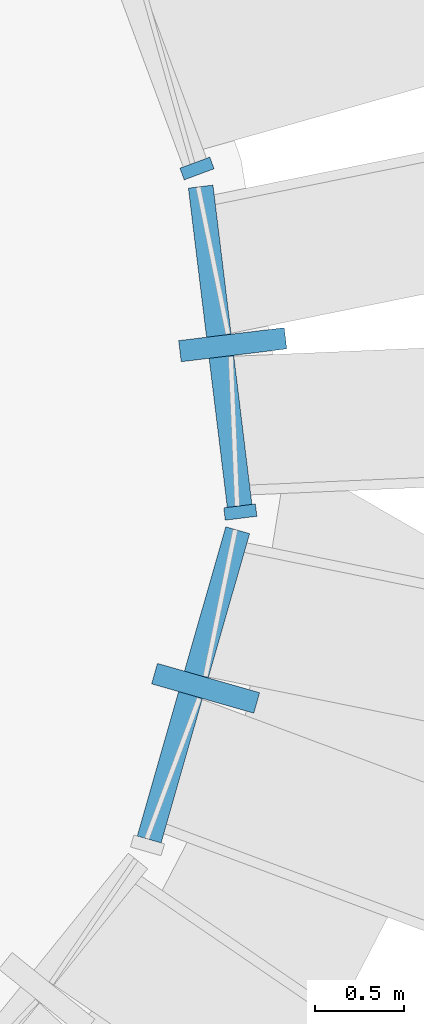
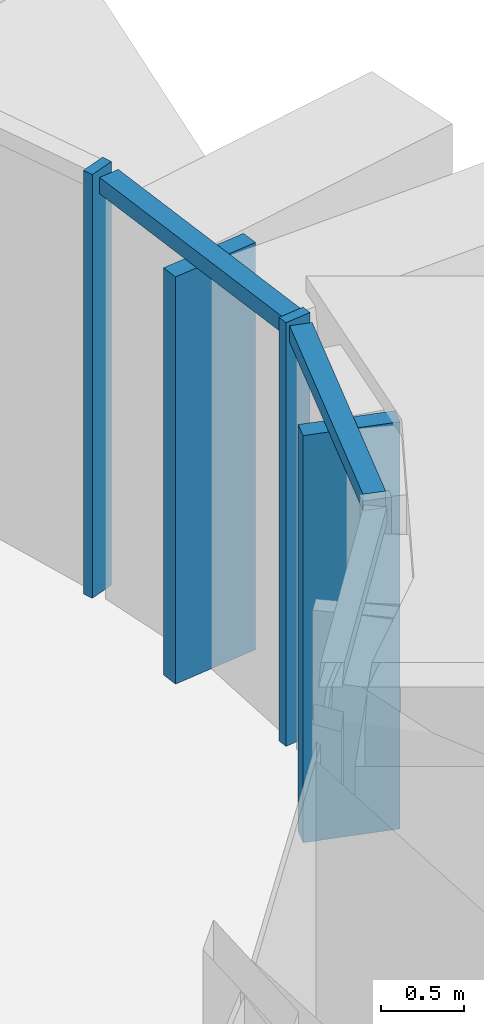
# One storey, part 8 of 22: 6 members, 3 elements without a shape of their own.
"""IFC4 building model written with IfcOpenShell, lengths in metres."""

from ifc_helpers import new_model, si_unit, direction, frame, origin, origin_2d, place, context, subcontext, project, spatial, rectangle, extrude, material, layer, layer_set, material_profile, profile_set, type_object, element, aggregate, save


model = new_model("IFC4")

# Units and contexts
model_context = context("Model", 3, precision=1e-05, world=origin(), true_north=direction((0.0, 1.0)))
body_context = subcontext(model_context, "Body", "Model", "MODEL_VIEW")
ifc_project = project(units=[si_unit("LENGTHUNIT", "METRE"), si_unit("AREAUNIT", "SQUARE_METRE"), si_unit("VOLUMEUNIT", "CUBIC_METRE"), si_unit("PLANEANGLEUNIT", "RADIAN"), si_unit("MASSUNIT", "GRAM", prefix="KILO")], contexts=[model_context])

# Site, building, storey
site_placement = place(None, origin())
site = spatial("IfcSite", under=ifc_project, at=site_placement, CompositionType="ELEMENT")
building_placement = place(site_placement, origin())
building = spatial("IfcBuilding", under=site, at=building_placement, Name="Sierra Prisma Convention Tower", CompositionType="ELEMENT")
storey_placement = place(building_placement, frame((0.0, 0.0, 66.5)))
storey = spatial("IfcBuildingStorey", under=building, at=storey_placement, Name="L12", CompositionType="ELEMENT", Elevation=66.5)

# Curtain wall, member
ifc_material_1 = material(Name="Aluminium and glass curtain wall", Category="aluminium")
ifc_layer = layer(ifc_material_1, 0.179931640625)
ifc_layer_set = layer_set([ifc_layer], Name="CW-2 Faceted crystal curtain wall")
curtain_wall_type = type_object("IfcCurtainWallType", Name="CW-2 Faceted crystal curtain wall", PredefinedType="NOTDEFINED", material=ifc_layer_set)
curtain_wall_1_placement = place(storey_placement, origin())
curtain_wall_1 = element("IfcCurtainWall", 1, at=curtain_wall_1_placement, inside=storey, type_object=curtain_wall_type, Name="CW-2 SE3 L12", PredefinedType="NOTDEFINED")
ifc_material_2 = material(Name="Aluminium 6063-T6 bronze anodised", Category="aluminium")
ifc_material_profile_1 = material_profile(ifc_material_2, rectangle(XDim=0.1201171875, YDim=0.60009765625, at=origin_2d()), Name="ALU RIDGE BLADE 120x600")
ifc_profile_set_1 = profile_set([ifc_material_profile_1], Name="Aluminium 6063-T6 bronze anodised")
member_type_1 = type_object("IfcMemberType", Name="CW hip bronze", PredefinedType="MULLION", material=ifc_profile_set_1)
member_1_placement = place(storey_placement, frame((31.552001953125, -17.25634765625, 0.0), z_axis=(0.0, 0.0, 1.0), x_axis=(0.27515422925, 0.96140009888, 0.0)))
member_1 = element("IfcMember", 2, at=member_1_placement, type_object=member_type_1, Name="CW-2 ridge SE3.1", PredefinedType="MULLION", context=body_context, shape_type="SweptSolid", body=[
    extrude(rectangle(XDim=0.1201171875, YDim=0.60009765625, at=origin_2d()), origin(), (0.0, 0.0, 1.0), 2.97998046875),
])

# Curtain wall, members
curtain_wall_2_placement = place(storey_placement, origin())
curtain_wall_2 = element("IfcCurtainWall", 3, at=curtain_wall_2_placement, inside=storey, type_object=curtain_wall_type, Name="CW-2 SE4 L12", PredefinedType="NOTDEFINED")
member_2_placement = place(storey_placement, frame((31.704833984375, -15.317138671875, 0.0), z_axis=(0.0, 0.0, 1.0), x_axis=(-0.121043372111, 0.992647219342, 0.0)))
member_2 = element("IfcMember", 4, at=member_2_placement, type_object=member_type_1, Name="CW-2 ridge SE4.1", PredefinedType="MULLION", context=body_context, shape_type="SweptSolid", body=[
    extrude(rectangle(XDim=0.1201171875, YDim=0.60009765625, at=origin_2d()), origin(), (0.0, 0.0, 1.0), 2.97998046875),
])
ifc_material_3 = material(Name="Aluminium 6063-T6 bronze anodised", Category="aluminium")
ifc_material_profile_2 = material_profile(ifc_material_3, rectangle(XDim=0.179931640625, YDim=0.070068359375, at=origin_2d()), Name="ALU MULLION 70x180")
ifc_profile_set_2 = profile_set([ifc_material_profile_2], Name="Aluminium 6063-T6 bronze anodised")
member_type_2 = type_object("IfcMemberType", Name="CW mullion bronze", PredefinedType="MULLION", material=ifc_profile_set_2)
member_3_placement = place(storey_placement, frame((31.748046875, -16.26171875, 0.0), z_axis=(0.0, 0.0, 1.0), x_axis=(-0.992647219342, -0.121043372111, 0.0)))
member_3 = element("IfcMember", 5, at=member_3_placement, type_object=member_type_2, Name="CW-1 mullion SE4.1", PredefinedType="MULLION", context=body_context, shape_type="SweptSolid", body=[
    extrude(rectangle(XDim=0.179931640625, YDim=0.070068359375, at=origin_2d()), origin(), (0.0, 0.0, 1.0), 3.10009765625),
])

# Curtain wall, member
curtain_wall_3_placement = place(storey_placement, origin())
curtain_wall_3 = element("IfcCurtainWall", 6, at=curtain_wall_3_placement, inside=storey, type_object=curtain_wall_type, Name="CW-2 NE1 L12", PredefinedType="NOTDEFINED")
member_4_placement = place(storey_placement, frame((31.50341796875, -14.322265625, 0.0), z_axis=(0.0, 0.0, 1.0), x_axis=(-0.937730353243, -0.347364051978, 0.0)))
member_4 = element("IfcMember", 7, at=member_4_placement, type_object=member_type_2, Name="CW-1 mullion NE1.1", PredefinedType="MULLION", context=body_context, shape_type="SweptSolid", body=[
    extrude(rectangle(XDim=0.179931640625, YDim=0.070068359375, at=origin_2d()), origin(), (0.0, 0.0, 1.0), 3.10009765625),
])
aggregate(curtain_wall_3, [member_4])

# Member
ifc_material_4 = material(Name="Aluminium 6063-T6 bronze anodised", Category="aluminium")
ifc_material_profile_3 = material_profile(ifc_material_4, rectangle(XDim=0.139892578125, YDim=0.1201171875, at=origin_2d()), Name="ALU TRANSOM 120x140")
ifc_profile_set_3 = profile_set([ifc_material_profile_3], Name="Aluminium 6063-T6 bronze anodised")
member_type_3 = type_object("IfcMemberType", Name="CW transom bronze", PredefinedType="USERDEFINED", material=ifc_profile_set_3)
member_5_placement = place(storey_placement, frame((31.2333984375, -18.109619140625, 3.0400390625), z_axis=(0.275200515059, 0.961386850603, 0.0), x_axis=(-0.961386850603, 0.275200515059, 0.0)))
member_5 = element("IfcMember", 8, at=member_5_placement, type_object=member_type_3, Name="CW-1 transom SE3.1", ObjectType="TRANSOM", PredefinedType="USERDEFINED", context=body_context, shape_type="SweptSolid", body=[
    extrude(rectangle(XDim=0.139892578125, YDim=0.1201171875, at=origin_2d()), origin(), (0.0, 0.0, 1.0), 1.81591796875),
])

aggregate(curtain_wall_1, [member_5, member_1])

member_6_placement = place(storey_placement, frame((31.743896484375, -16.22705078125, 3.0400390625), z_axis=(-0.121005906603, 0.992651787168, 0.0), x_axis=(-0.992651787168, -0.121005906603, 0.0)))
member_6 = element("IfcMember", 9, at=member_6_placement, type_object=member_type_3, Name="CW-1 transom SE4.1", ObjectType="TRANSOM", PredefinedType="USERDEFINED", context=body_context, shape_type="SweptSolid", body=[
    extrude(rectangle(XDim=0.139892578125, YDim=0.1201171875, at=origin_2d()), origin(), (0.0, 0.0, 1.0), 1.81591796875),
])

aggregate(curtain_wall_2, [member_3, member_6, member_2])

save(model, "model.ifc")
